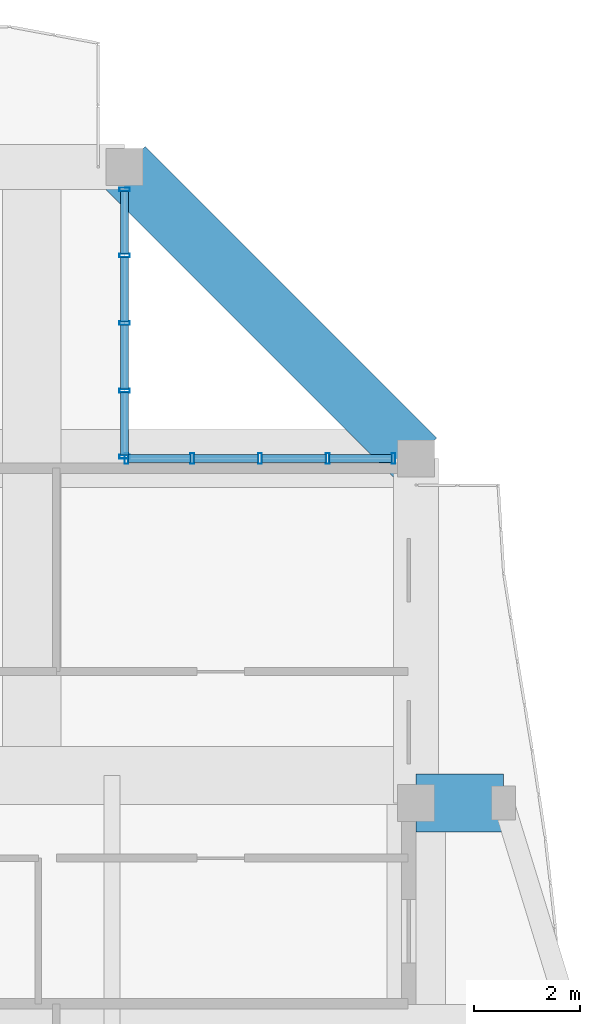
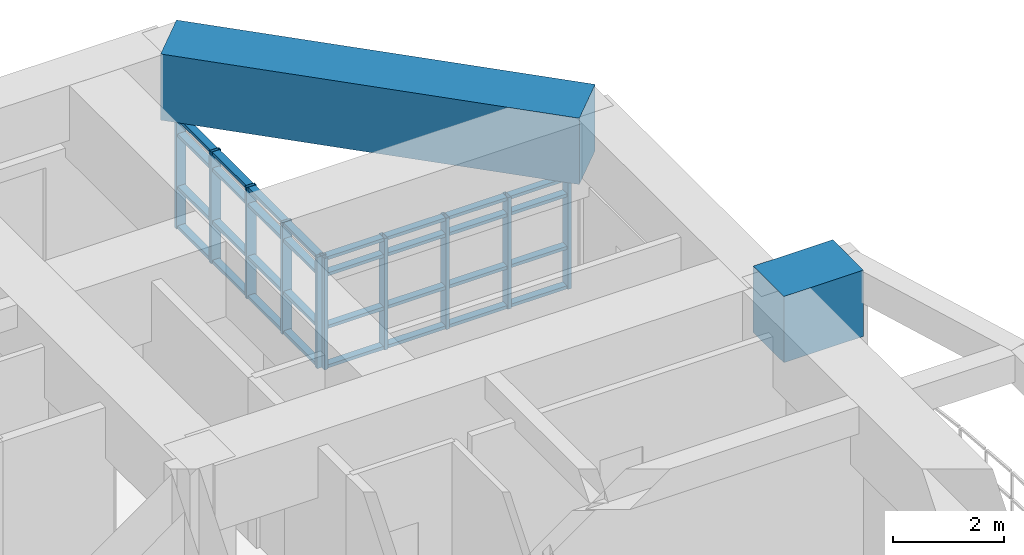
# One storey, part 8 of 22: 42 members, 2 beams, 2 elements without a shape of their own.
"""IFC4 building model written with IfcOpenShell, lengths in metres."""

from ifc_helpers import new_model, si_unit, direction, frame, origin, origin_2d, place, context, subcontext, project, spatial, rectangle, hollow_rectangle, extrude, source, transform, mapped, material, layer, layer_set, material_profile, profile_set, type_object, element, aggregate, save


model = new_model("IFC4")

# Units and contexts
model_context = context("Model", 3, precision=1e-05, world=origin(), true_north=direction((0.0, 1.0)))
body_context = subcontext(model_context, "Body", "Model", "MODEL_VIEW")
ifc_project = project(units=[si_unit("LENGTHUNIT", "METRE"), si_unit("AREAUNIT", "SQUARE_METRE"), si_unit("VOLUMEUNIT", "CUBIC_METRE"), si_unit("PLANEANGLEUNIT", "RADIAN"), si_unit("MASSUNIT", "GRAM", prefix="KILO")], contexts=[model_context])

# Site, building, storey
site_placement = place(None, origin())
site = spatial("IfcSite", under=ifc_project, at=site_placement, CompositionType="ELEMENT")
building_placement = place(site_placement, origin())
building = spatial("IfcBuilding", under=site, at=building_placement, Name="Saelheon Loggia Tower", CompositionType="ELEMENT")
storey_placement = place(building_placement, frame((0.0, 0.0, 216.300048828125)))
storey = spatial("IfcBuildingStorey", under=building, at=storey_placement, Name="L67", CompositionType="ELEMENT", Elevation=216.300048828125)

# Beams
ifc_material_1 = material(Name="Concrete C50/60", Category="concrete")
ifc_material_profile_1 = material_profile(ifc_material_1, rectangle(XDim=1.10009765625, YDim=1.449951171875, at=origin_2d()), Name="RC-1100x1450")
ifc_profile_set_1 = profile_set([ifc_material_profile_1], Name="Concrete C50/60")
beam_type = type_object("IfcBeamType", Name="Beam_PerimTransfer_RC1100x1450", PredefinedType="BEAM", material=ifc_profile_set_1)
shared_shape_1 = source(origin(), body_context, "Body", "SweptSolid", [
    extrude(rectangle(XDim=1.10009765625, YDim=1.449951171875, at=origin_2d()), origin(), (0.0, 0.0, 1.0), 1.64990234375),
])
beam_1_placement = place(storey_placement, frame((56.5, 36.0, 3.175048828125), z_axis=(1.0, 0.0, 0.0), x_axis=(0.0, 1.0, 0.0)))
element("IfcBeam", 1, at=beam_1_placement, inside=storey, type_object=beam_type, Name="L67 Loggia Frame Tie Beam LP-E2", PredefinedType="BEAM", context=body_context, shape_type="MappedRepresentation", body=[
    mapped(shared_shape_1, transform((0.0, 0.0, 0.0), scale=1.0)),
])
shared_shape_2 = source(origin(), body_context, "Body", "SweptSolid", [
    extrude(rectangle(XDim=1.10009765625, YDim=1.449951171875, at=origin_2d()), origin(), (0.0, 0.0, 1.0), 7.778076171875),
])
beam_2_placement = place(storey_placement, frame((56.5, 42.5, 3.175048828125), z_axis=(-0.707106781187, 0.707106781187, 0.0), x_axis=(-0.707106781187, -0.707106781187, 0.0)))
element("IfcBeam", 2, at=beam_2_placement, inside=storey, type_object=beam_type, Name="L67 Perimeter Frame Girder 08", PredefinedType="BEAM", context=body_context, shape_type="MappedRepresentation", body=[
    mapped(shared_shape_2, transform((0.0, 0.0, 0.0), scale=1.0)),
])

# Curtain wall, members
ifc_material_2 = material(Name="High-Wind Aluminium and Triple Laminated Glass", Category="aluminium")
ifc_layer = layer(ifc_material_2, 0.179931640625)
ifc_layer_set = layer_set([ifc_layer], Name="High-Wind Aluminium and Triple Laminated Glass")
curtain_wall_type = type_object("IfcCurtainWallType", Name="CW_TowerLoggiaHigh", PredefinedType="NOTDEFINED", material=ifc_layer_set)
curtain_wall_1_placement = place(storey_placement, origin())
curtain_wall_1 = element("IfcCurtainWall", 3, at=curtain_wall_1_placement, inside=storey, type_object=curtain_wall_type, Name="L67 Corner Notch Glazing NE1", PredefinedType="NOTDEFINED")
ifc_material_3 = material(Name="Anodised Aluminium 6063-T6", Category="aluminium")
ifc_material_profile_2 = material_profile(ifc_material_3, hollow_rectangle(XDim=0.070068359375, YDim=0.199951171875, WallThickness=0.0048828125, at=origin_2d()), Name="RHS-200x70x5")
ifc_profile_set_2 = profile_set([ifc_material_profile_2], Name="Anodised Aluminium 6063-T6")
member_type_1 = type_object("IfcMemberType", Name="CW_TowerLoggiaHigh_Mullion", PredefinedType="MULLION", material=ifc_profile_set_2)
shared_shape_3 = source(origin(), body_context, "Body", "SweptSolid", [
    extrude(hollow_rectangle(XDim=0.070068359375, YDim=0.199951171875, WallThickness=0.0048828125, at=origin_2d()), origin(), (0.0, 0.0, 1.0), 2.43994140625),
])
member_1_placement = place(storey_placement, frame((51.0, 42.534912109375, 0.0), z_axis=(0.0, 0.0, 1.0), x_axis=(0.0, 1.0, 0.0)))
member_1 = element("IfcMember", 4, at=member_1_placement, type_object=member_type_1, Name="CW4 mullion 1", PredefinedType="MULLION", context=body_context, shape_type="MappedRepresentation", body=[
    mapped(shared_shape_3, transform((0.0, 0.0, 0.0), scale=1.0)),
])
member_2_placement = place(storey_placement, frame((51.0, 43.777587890625, 0.0), z_axis=(0.0, 0.0, 1.0), x_axis=(0.0, 1.0, 0.0)))
member_2 = element("IfcMember", 5, at=member_2_placement, type_object=member_type_1, Name="CW4 mullion 2", PredefinedType="MULLION", context=body_context, shape_type="MappedRepresentation", body=[
    mapped(shared_shape_3, transform((0.0, 0.0, 0.0), scale=1.0)),
])
member_3_placement = place(storey_placement, frame((51.0, 45.054931640625, 0.0), z_axis=(0.0, 0.0, 1.0), x_axis=(0.0, 1.0, 0.0)))
member_3 = element("IfcMember", 6, at=member_3_placement, type_object=member_type_1, Name="CW4 mullion 3", PredefinedType="MULLION", context=body_context, shape_type="MappedRepresentation", body=[
    mapped(shared_shape_3, transform((0.0, 0.0, 0.0), scale=1.0)),
])
member_4_placement = place(storey_placement, frame((51.0, 46.33251953125, 0.0), z_axis=(0.0, 0.0, 1.0), x_axis=(0.0, 1.0, 0.0)))
member_4 = element("IfcMember", 7, at=member_4_placement, type_object=member_type_1, Name="CW4 mullion 4", PredefinedType="MULLION", context=body_context, shape_type="MappedRepresentation", body=[
    mapped(shared_shape_3, transform((0.0, 0.0, 0.0), scale=1.0)),
])
member_5_placement = place(storey_placement, frame((51.0, 47.574951171875, 0.0), z_axis=(0.0, 0.0, 1.0), x_axis=(0.0, 1.0, 0.0)))
member_5 = element("IfcMember", 8, at=member_5_placement, type_object=member_type_1, Name="CW4 mullion 5", PredefinedType="MULLION", context=body_context, shape_type="MappedRepresentation", body=[
    mapped(shared_shape_3, transform((0.0, 0.0, 0.0), scale=1.0)),
])

curtain_wall_2_placement = place(storey_placement, origin())
curtain_wall_2 = element("IfcCurtainWall", 9, at=curtain_wall_2_placement, inside=storey, type_object=curtain_wall_type, Name="L67 Corner Notch Glazing NE2", PredefinedType="NOTDEFINED")
member_6_placement = place(storey_placement, frame((51.034912109375, 42.5, 0.0), z_axis=(0.0, 0.0, 1.0), x_axis=(1.0, 0.0, 0.0)))
member_6 = element("IfcMember", 10, at=member_6_placement, type_object=member_type_1, Name="CW4 mullion 1", PredefinedType="MULLION", context=body_context, shape_type="MappedRepresentation", body=[
    mapped(shared_shape_3, transform((0.0, 0.0, 0.0), scale=1.0)),
])
member_7_placement = place(storey_placement, frame((52.277587890625, 42.5, 0.0), z_axis=(0.0, 0.0, 1.0), x_axis=(1.0, 0.0, 0.0)))
member_7 = element("IfcMember", 11, at=member_7_placement, type_object=member_type_1, Name="CW4 mullion 2", PredefinedType="MULLION", context=body_context, shape_type="MappedRepresentation", body=[
    mapped(shared_shape_3, transform((0.0, 0.0, 0.0), scale=1.0)),
])
member_8_placement = place(storey_placement, frame((53.554931640625, 42.5, 0.0), z_axis=(0.0, 0.0, 1.0), x_axis=(1.0, 0.0, 0.0)))
member_8 = element("IfcMember", 12, at=member_8_placement, type_object=member_type_1, Name="CW4 mullion 3", PredefinedType="MULLION", context=body_context, shape_type="MappedRepresentation", body=[
    mapped(shared_shape_3, transform((0.0, 0.0, 0.0), scale=1.0)),
])
member_9_placement = place(storey_placement, frame((54.83251953125, 42.5, 0.0), z_axis=(0.0, 0.0, 1.0), x_axis=(1.0, 0.0, 0.0)))
member_9 = element("IfcMember", 13, at=member_9_placement, type_object=member_type_1, Name="CW4 mullion 4", PredefinedType="MULLION", context=body_context, shape_type="MappedRepresentation", body=[
    mapped(shared_shape_3, transform((0.0, 0.0, 0.0), scale=1.0)),
])
member_10_placement = place(storey_placement, frame((56.074951171875, 42.5, 0.0), z_axis=(0.0, 0.0, 1.0), x_axis=(1.0, 0.0, 0.0)))
member_10 = element("IfcMember", 14, at=member_10_placement, type_object=member_type_1, Name="CW4 mullion 5", PredefinedType="MULLION", context=body_context, shape_type="MappedRepresentation", body=[
    mapped(shared_shape_3, transform((0.0, 0.0, 0.0), scale=1.0)),
])

# Member
ifc_material_profile_3 = material_profile(ifc_material_3, hollow_rectangle(XDim=0.070068359375, YDim=0.14990234375, WallThickness=0.0048828125, at=origin_2d()), Name="RHS-150x70x5")
ifc_profile_set_3 = profile_set([ifc_material_profile_3], Name="Anodised Aluminium 6063-T6")
member_type_2 = type_object("IfcMemberType", Name="CW_TowerLoggiaHigh_Transom", PredefinedType="USERDEFINED", material=ifc_profile_set_3)
shared_shape_4 = source(origin(), body_context, "Body", "SweptSolid", [
    extrude(hollow_rectangle(XDim=0.070068359375, YDim=0.14990234375, WallThickness=0.0048828125, at=origin_2d()), origin(), (0.0, 0.0, 1.0), 1.172607421875),
])
member_11_placement = place(storey_placement, frame((51.0, 46.367431640625, 0.034912109375), z_axis=(0.0, 1.0, 0.0), x_axis=(0.0, 0.0, 1.0)))
member_11 = element("IfcMember", 15, at=member_11_placement, type_object=member_type_2, Name="CW4 transom 4.1", ObjectType="TRANSOM", PredefinedType="USERDEFINED", context=body_context, shape_type="MappedRepresentation", body=[
    mapped(shared_shape_4, transform((0.0, 0.0, 0.0), scale=1.0)),
])

member_12_placement = place(storey_placement, frame((51.0, 46.367431640625, 0.89990234375), z_axis=(0.0, 1.0, 0.0), x_axis=(0.0, 0.0, 1.0)))
member_12 = element("IfcMember", 16, at=member_12_placement, type_object=member_type_2, Name="CW4 transom 4.2", ObjectType="TRANSOM", PredefinedType="USERDEFINED", context=body_context, shape_type="MappedRepresentation", body=[
    mapped(shared_shape_4, transform((0.0, 0.0, 0.0), scale=1.0)),
])

member_13_placement = place(storey_placement, frame((51.0, 46.367431640625, 2.050048828125), z_axis=(0.0, 1.0, 0.0), x_axis=(0.0, 0.0, 1.0)))
member_13 = element("IfcMember", 17, at=member_13_placement, type_object=member_type_2, Name="CW4 transom 4.3", ObjectType="TRANSOM", PredefinedType="USERDEFINED", context=body_context, shape_type="MappedRepresentation", body=[
    mapped(shared_shape_4, transform((0.0, 0.0, 0.0), scale=1.0)),
])

member_14_placement = place(storey_placement, frame((51.0, 46.367431640625, 2.405029296875), z_axis=(0.0, 1.0, 0.0), x_axis=(0.0, 0.0, 1.0)))
member_14 = element("IfcMember", 18, at=member_14_placement, type_object=member_type_2, Name="CW4 transom 4.4", ObjectType="TRANSOM", PredefinedType="USERDEFINED", context=body_context, shape_type="MappedRepresentation", body=[
    mapped(shared_shape_4, transform((0.0, 0.0, 0.0), scale=1.0)),
])

member_15_placement = place(storey_placement, frame((54.867431640625, 42.5, 0.034912109375), z_axis=(1.0, 0.0, 0.0), x_axis=(0.0, 0.0, 1.0)))
member_15 = element("IfcMember", 19, at=member_15_placement, type_object=member_type_2, Name="CW4 transom 4.1", ObjectType="TRANSOM", PredefinedType="USERDEFINED", context=body_context, shape_type="MappedRepresentation", body=[
    mapped(shared_shape_4, transform((0.0, 0.0, 0.0), scale=1.0)),
])

member_16_placement = place(storey_placement, frame((54.867431640625, 42.5, 0.89990234375), z_axis=(1.0, 0.0, 0.0), x_axis=(0.0, 0.0, 1.0)))
member_16 = element("IfcMember", 20, at=member_16_placement, type_object=member_type_2, Name="CW4 transom 4.2", ObjectType="TRANSOM", PredefinedType="USERDEFINED", context=body_context, shape_type="MappedRepresentation", body=[
    mapped(shared_shape_4, transform((0.0, 0.0, 0.0), scale=1.0)),
])

member_17_placement = place(storey_placement, frame((54.867431640625, 42.5, 2.050048828125), z_axis=(1.0, 0.0, 0.0), x_axis=(0.0, 0.0, 1.0)))
member_17 = element("IfcMember", 21, at=member_17_placement, type_object=member_type_2, Name="CW4 transom 4.3", ObjectType="TRANSOM", PredefinedType="USERDEFINED", context=body_context, shape_type="MappedRepresentation", body=[
    mapped(shared_shape_4, transform((0.0, 0.0, 0.0), scale=1.0)),
])

member_18_placement = place(storey_placement, frame((54.867431640625, 42.5, 2.405029296875), z_axis=(1.0, 0.0, 0.0), x_axis=(0.0, 0.0, 1.0)))
member_18 = element("IfcMember", 22, at=member_18_placement, type_object=member_type_2, Name="CW4 transom 4.4", ObjectType="TRANSOM", PredefinedType="USERDEFINED", context=body_context, shape_type="MappedRepresentation", body=[
    mapped(shared_shape_4, transform((0.0, 0.0, 0.0), scale=1.0)),
])

shared_shape_5 = source(origin(), body_context, "Body", "SweptSolid", [
    extrude(hollow_rectangle(XDim=0.070068359375, YDim=0.14990234375, WallThickness=0.0048828125, at=origin_2d()), origin(), (0.0, 0.0, 1.0), 1.20751953125),
])
member_19_placement = place(storey_placement, frame((51.0, 43.8125, 0.034912109375), z_axis=(0.0, 1.0, 0.0), x_axis=(0.0, 0.0, 1.0)))
member_19 = element("IfcMember", 23, at=member_19_placement, type_object=member_type_2, Name="CW4 transom 2.1", ObjectType="TRANSOM", PredefinedType="USERDEFINED", context=body_context, shape_type="MappedRepresentation", body=[
    mapped(shared_shape_5, transform((0.0, 0.0, 0.0), scale=1.0)),
])

member_20_placement = place(storey_placement, frame((51.0, 43.8125, 0.89990234375), z_axis=(0.0, 1.0, 0.0), x_axis=(0.0, 0.0, 1.0)))
member_20 = element("IfcMember", 24, at=member_20_placement, type_object=member_type_2, Name="CW4 transom 2.2", ObjectType="TRANSOM", PredefinedType="USERDEFINED", context=body_context, shape_type="MappedRepresentation", body=[
    mapped(shared_shape_5, transform((0.0, 0.0, 0.0), scale=1.0)),
])

member_21_placement = place(storey_placement, frame((51.0, 43.8125, 2.050048828125), z_axis=(0.0, 1.0, 0.0), x_axis=(0.0, 0.0, 1.0)))
member_21 = element("IfcMember", 25, at=member_21_placement, type_object=member_type_2, Name="CW4 transom 2.3", ObjectType="TRANSOM", PredefinedType="USERDEFINED", context=body_context, shape_type="MappedRepresentation", body=[
    mapped(shared_shape_5, transform((0.0, 0.0, 0.0), scale=1.0)),
])

member_22_placement = place(storey_placement, frame((51.0, 43.8125, 2.405029296875), z_axis=(0.0, 1.0, 0.0), x_axis=(0.0, 0.0, 1.0)))
member_22 = element("IfcMember", 26, at=member_22_placement, type_object=member_type_2, Name="CW4 transom 2.4", ObjectType="TRANSOM", PredefinedType="USERDEFINED", context=body_context, shape_type="MappedRepresentation", body=[
    mapped(shared_shape_5, transform((0.0, 0.0, 0.0), scale=1.0)),
])

member_23_placement = place(storey_placement, frame((51.0, 45.090087890625, 0.034912109375), z_axis=(0.0, 1.0, 0.0), x_axis=(0.0, 0.0, 1.0)))
member_23 = element("IfcMember", 27, at=member_23_placement, type_object=member_type_2, Name="CW4 transom 3.1", ObjectType="TRANSOM", PredefinedType="USERDEFINED", context=body_context, shape_type="MappedRepresentation", body=[
    mapped(shared_shape_5, transform((0.0, 0.0, 0.0), scale=1.0)),
])

member_24_placement = place(storey_placement, frame((51.0, 45.090087890625, 0.89990234375), z_axis=(0.0, 1.0, 0.0), x_axis=(0.0, 0.0, 1.0)))
member_24 = element("IfcMember", 28, at=member_24_placement, type_object=member_type_2, Name="CW4 transom 3.2", ObjectType="TRANSOM", PredefinedType="USERDEFINED", context=body_context, shape_type="MappedRepresentation", body=[
    mapped(shared_shape_5, transform((0.0, 0.0, 0.0), scale=1.0)),
])

member_25_placement = place(storey_placement, frame((51.0, 45.090087890625, 2.050048828125), z_axis=(0.0, 1.0, 0.0), x_axis=(0.0, 0.0, 1.0)))
member_25 = element("IfcMember", 29, at=member_25_placement, type_object=member_type_2, Name="CW4 transom 3.3", ObjectType="TRANSOM", PredefinedType="USERDEFINED", context=body_context, shape_type="MappedRepresentation", body=[
    mapped(shared_shape_5, transform((0.0, 0.0, 0.0), scale=1.0)),
])

member_26_placement = place(storey_placement, frame((51.0, 45.090087890625, 2.405029296875), z_axis=(0.0, 1.0, 0.0), x_axis=(0.0, 0.0, 1.0)))
member_26 = element("IfcMember", 30, at=member_26_placement, type_object=member_type_2, Name="CW4 transom 3.4", ObjectType="TRANSOM", PredefinedType="USERDEFINED", context=body_context, shape_type="MappedRepresentation", body=[
    mapped(shared_shape_5, transform((0.0, 0.0, 0.0), scale=1.0)),
])

member_27_placement = place(storey_placement, frame((52.3125, 42.5, 0.034912109375), z_axis=(1.0, 0.0, 0.0), x_axis=(0.0, 0.0, 1.0)))
member_27 = element("IfcMember", 31, at=member_27_placement, type_object=member_type_2, Name="CW4 transom 2.1", ObjectType="TRANSOM", PredefinedType="USERDEFINED", context=body_context, shape_type="MappedRepresentation", body=[
    mapped(shared_shape_5, transform((0.0, 0.0, 0.0), scale=1.0)),
])

member_28_placement = place(storey_placement, frame((52.3125, 42.5, 0.89990234375), z_axis=(1.0, 0.0, 0.0), x_axis=(0.0, 0.0, 1.0)))
member_28 = element("IfcMember", 32, at=member_28_placement, type_object=member_type_2, Name="CW4 transom 2.2", ObjectType="TRANSOM", PredefinedType="USERDEFINED", context=body_context, shape_type="MappedRepresentation", body=[
    mapped(shared_shape_5, transform((0.0, 0.0, 0.0), scale=1.0)),
])

member_29_placement = place(storey_placement, frame((52.3125, 42.5, 2.050048828125), z_axis=(1.0, 0.0, 0.0), x_axis=(0.0, 0.0, 1.0)))
member_29 = element("IfcMember", 33, at=member_29_placement, type_object=member_type_2, Name="CW4 transom 2.3", ObjectType="TRANSOM", PredefinedType="USERDEFINED", context=body_context, shape_type="MappedRepresentation", body=[
    mapped(shared_shape_5, transform((0.0, 0.0, 0.0), scale=1.0)),
])

member_30_placement = place(storey_placement, frame((52.3125, 42.5, 2.405029296875), z_axis=(1.0, 0.0, 0.0), x_axis=(0.0, 0.0, 1.0)))
member_30 = element("IfcMember", 34, at=member_30_placement, type_object=member_type_2, Name="CW4 transom 2.4", ObjectType="TRANSOM", PredefinedType="USERDEFINED", context=body_context, shape_type="MappedRepresentation", body=[
    mapped(shared_shape_5, transform((0.0, 0.0, 0.0), scale=1.0)),
])

member_31_placement = place(storey_placement, frame((53.590087890625, 42.5, 0.034912109375), z_axis=(1.0, 0.0, 0.0), x_axis=(0.0, 0.0, 1.0)))
member_31 = element("IfcMember", 35, at=member_31_placement, type_object=member_type_2, Name="CW4 transom 3.1", ObjectType="TRANSOM", PredefinedType="USERDEFINED", context=body_context, shape_type="MappedRepresentation", body=[
    mapped(shared_shape_5, transform((0.0, 0.0, 0.0), scale=1.0)),
])

member_32_placement = place(storey_placement, frame((53.590087890625, 42.5, 0.89990234375), z_axis=(1.0, 0.0, 0.0), x_axis=(0.0, 0.0, 1.0)))
member_32 = element("IfcMember", 36, at=member_32_placement, type_object=member_type_2, Name="CW4 transom 3.2", ObjectType="TRANSOM", PredefinedType="USERDEFINED", context=body_context, shape_type="MappedRepresentation", body=[
    mapped(shared_shape_5, transform((0.0, 0.0, 0.0), scale=1.0)),
])

member_33_placement = place(storey_placement, frame((53.590087890625, 42.5, 2.050048828125), z_axis=(1.0, 0.0, 0.0), x_axis=(0.0, 0.0, 1.0)))
member_33 = element("IfcMember", 37, at=member_33_placement, type_object=member_type_2, Name="CW4 transom 3.3", ObjectType="TRANSOM", PredefinedType="USERDEFINED", context=body_context, shape_type="MappedRepresentation", body=[
    mapped(shared_shape_5, transform((0.0, 0.0, 0.0), scale=1.0)),
])

member_34_placement = place(storey_placement, frame((53.590087890625, 42.5, 2.405029296875), z_axis=(1.0, 0.0, 0.0), x_axis=(0.0, 0.0, 1.0)))
member_34 = element("IfcMember", 38, at=member_34_placement, type_object=member_type_2, Name="CW4 transom 3.4", ObjectType="TRANSOM", PredefinedType="USERDEFINED", context=body_context, shape_type="MappedRepresentation", body=[
    mapped(shared_shape_5, transform((0.0, 0.0, 0.0), scale=1.0)),
])

shared_shape_6 = source(origin(), body_context, "Body", "SweptSolid", [
    extrude(hollow_rectangle(XDim=0.070068359375, YDim=0.14990234375, WallThickness=0.0048828125, at=origin_2d()), origin(), (0.0, 0.0, 1.0), 1.17236328125),
])
member_35_placement = place(storey_placement, frame((51.0, 42.570068359375, 0.034912109375), z_axis=(0.0, 1.0, 0.0), x_axis=(0.0, 0.0, 1.0)))
member_35 = element("IfcMember", 39, at=member_35_placement, type_object=member_type_2, Name="CW4 transom 1.1", ObjectType="TRANSOM", PredefinedType="USERDEFINED", context=body_context, shape_type="MappedRepresentation", body=[
    mapped(shared_shape_6, transform((0.0, 0.0, 0.0), scale=1.0)),
])

member_36_placement = place(storey_placement, frame((51.0, 42.570068359375, 0.89990234375), z_axis=(0.0, 1.0, 0.0), x_axis=(0.0, 0.0, 1.0)))
member_36 = element("IfcMember", 40, at=member_36_placement, type_object=member_type_2, Name="CW4 transom 1.2", ObjectType="TRANSOM", PredefinedType="USERDEFINED", context=body_context, shape_type="MappedRepresentation", body=[
    mapped(shared_shape_6, transform((0.0, 0.0, 0.0), scale=1.0)),
])

member_37_placement = place(storey_placement, frame((51.0, 42.570068359375, 2.050048828125), z_axis=(0.0, 1.0, 0.0), x_axis=(0.0, 0.0, 1.0)))
member_37 = element("IfcMember", 41, at=member_37_placement, type_object=member_type_2, Name="CW4 transom 1.3", ObjectType="TRANSOM", PredefinedType="USERDEFINED", context=body_context, shape_type="MappedRepresentation", body=[
    mapped(shared_shape_6, transform((0.0, 0.0, 0.0), scale=1.0)),
])

member_38_placement = place(storey_placement, frame((51.0, 42.570068359375, 2.405029296875), z_axis=(0.0, 1.0, 0.0), x_axis=(0.0, 0.0, 1.0)))
member_38 = element("IfcMember", 42, at=member_38_placement, type_object=member_type_2, Name="CW4 transom 1.4", ObjectType="TRANSOM", PredefinedType="USERDEFINED", context=body_context, shape_type="MappedRepresentation", body=[
    mapped(shared_shape_6, transform((0.0, 0.0, 0.0), scale=1.0)),
])

aggregate(curtain_wall_1, [member_1, member_2, member_3, member_4, member_5, member_35, member_36, member_37, member_38, member_19, member_20, member_21, member_22, member_23, member_24, member_25, member_26, member_11, member_12, member_13, member_14])

member_39_placement = place(storey_placement, frame((51.070068359375, 42.5, 0.034912109375), z_axis=(1.0, 0.0, 0.0), x_axis=(0.0, 0.0, 1.0)))
member_39 = element("IfcMember", 43, at=member_39_placement, type_object=member_type_2, Name="CW4 transom 1.1", ObjectType="TRANSOM", PredefinedType="USERDEFINED", context=body_context, shape_type="MappedRepresentation", body=[
    mapped(shared_shape_6, transform((0.0, 0.0, 0.0), scale=1.0)),
])

member_40_placement = place(storey_placement, frame((51.070068359375, 42.5, 0.89990234375), z_axis=(1.0, 0.0, 0.0), x_axis=(0.0, 0.0, 1.0)))
member_40 = element("IfcMember", 44, at=member_40_placement, type_object=member_type_2, Name="CW4 transom 1.2", ObjectType="TRANSOM", PredefinedType="USERDEFINED", context=body_context, shape_type="MappedRepresentation", body=[
    mapped(shared_shape_6, transform((0.0, 0.0, 0.0), scale=1.0)),
])

member_41_placement = place(storey_placement, frame((51.070068359375, 42.5, 2.050048828125), z_axis=(1.0, 0.0, 0.0), x_axis=(0.0, 0.0, 1.0)))
member_41 = element("IfcMember", 45, at=member_41_placement, type_object=member_type_2, Name="CW4 transom 1.3", ObjectType="TRANSOM", PredefinedType="USERDEFINED", context=body_context, shape_type="MappedRepresentation", body=[
    mapped(shared_shape_6, transform((0.0, 0.0, 0.0), scale=1.0)),
])

member_42_placement = place(storey_placement, frame((51.070068359375, 42.5, 2.405029296875), z_axis=(1.0, 0.0, 0.0), x_axis=(0.0, 0.0, 1.0)))
member_42 = element("IfcMember", 46, at=member_42_placement, type_object=member_type_2, Name="CW4 transom 1.4", ObjectType="TRANSOM", PredefinedType="USERDEFINED", context=body_context, shape_type="MappedRepresentation", body=[
    mapped(shared_shape_6, transform((0.0, 0.0, 0.0), scale=1.0)),
])

aggregate(curtain_wall_2, [member_6, member_7, member_8, member_9, member_10, member_39, member_40, member_41, member_42, member_27, member_28, member_29, member_30, member_31, member_32, member_33, member_34, member_15, member_16, member_17, member_18])

save(model, "model.ifc")
